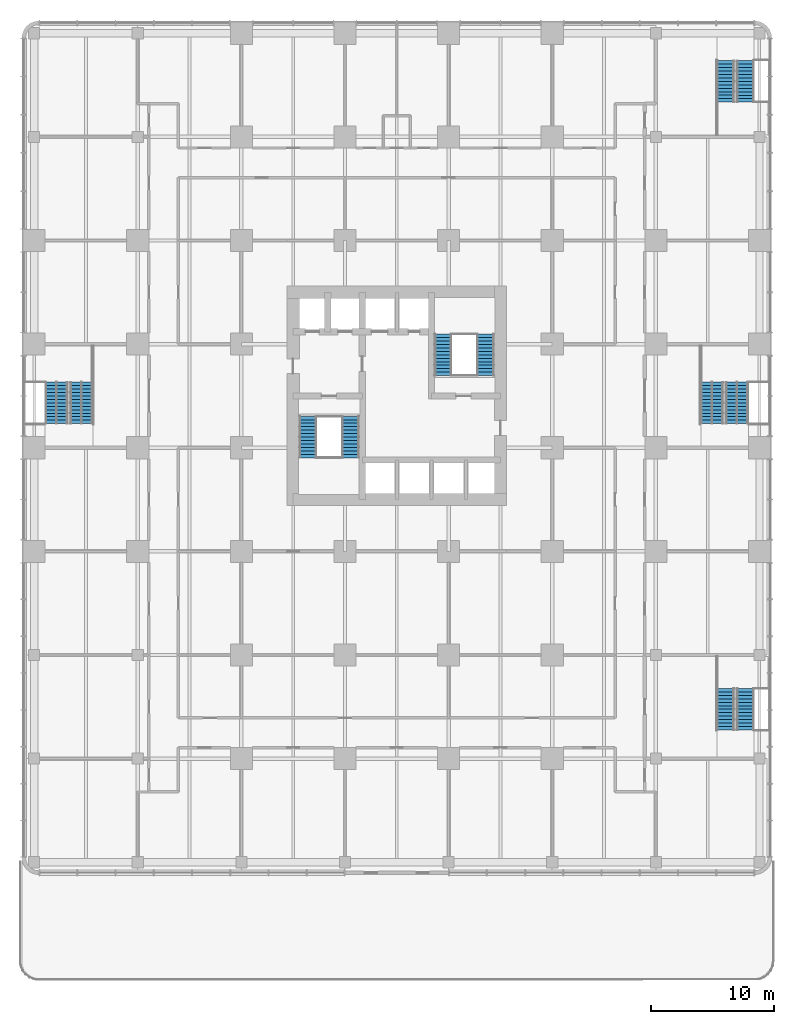
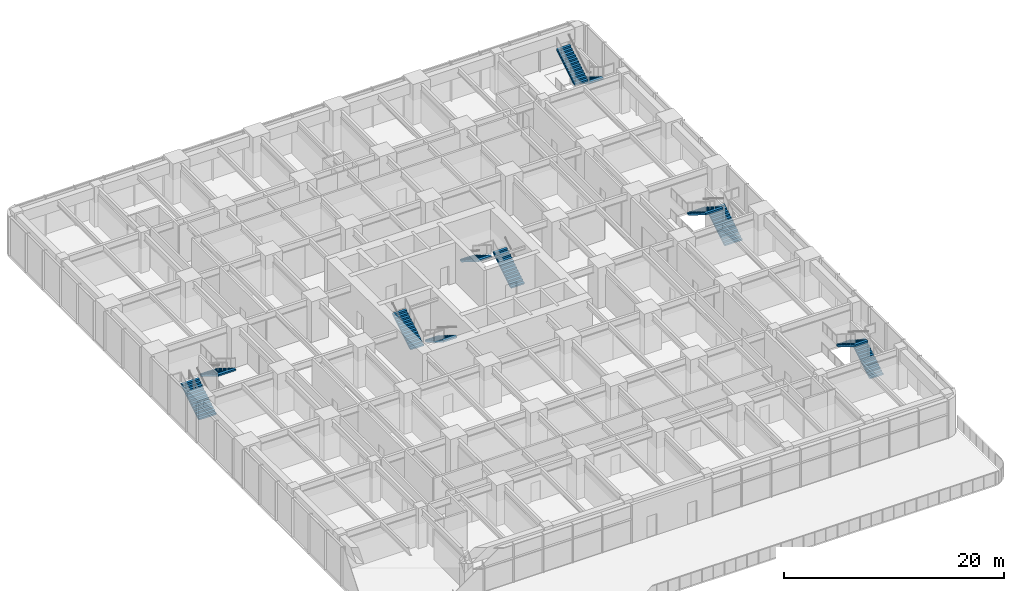
# One storey, part 15 of 20: 12 stair flights, 6 elements without a shape of their own.
"""IFC4 building model written with IfcOpenShell, lengths in metres."""

from ifc_helpers import new_model, si_unit, direction, frame, origin, place, context, subcontext, project, spatial, polyline, outline, extrude, material, type_object, element, aggregate, save


model = new_model("IFC4")

# Units and contexts
model_context = context("Model", 3, precision=1e-05, world=origin(), true_north=direction((0.0, 1.0)))
body_context = subcontext(model_context, "Body", "Model", "MODEL_VIEW")
ifc_project = project(units=[si_unit("LENGTHUNIT", "METRE"), si_unit("AREAUNIT", "SQUARE_METRE"), si_unit("VOLUMEUNIT", "CUBIC_METRE"), si_unit("PLANEANGLEUNIT", "RADIAN"), si_unit("MASSUNIT", "GRAM", prefix="KILO")], contexts=[model_context])

# Site, building, storey
site_placement = place(None, origin())
site = spatial("IfcSite", under=ifc_project, at=site_placement, CompositionType="ELEMENT")
building_placement = place(site_placement, origin())
building = spatial("IfcBuilding", under=site, at=building_placement, Name="Torre Alcanfor", CompositionType="ELEMENT")
storey_placement = place(building_placement, frame((0.0, 0.0, 10.5)))
storey = spatial("IfcBuildingStorey", under=building, at=storey_placement, Name="L02", CompositionType="ELEMENT", Elevation=10.5)

# Stair, stair flights
ifc_material_1 = material(Name="Concrete f'c 35 MPa", Category="concrete")
stair_type_1 = type_object("IfcStairType", Name="Exit stair S1 1400 wide", PredefinedType="HALF_TURN_STAIR", material=ifc_material_1)
stair_1_placement = place(storey_placement, origin())
stair_1 = element("IfcStair", 1, at=stair_1_placement, inside=storey, type_object=stair_type_1, Name="Stair S1 L02 to L03", PredefinedType="HALF_TURN_STAIR")
ifc_material_2 = material(Name="Concrete f'c 35 MPa", Category="concrete")
stair_flight_type_1 = type_object("IfcStairFlightType", Name="Stair flight 1400", PredefinedType="STRAIGHT", material=ifc_material_2)
stair_flight_1_placement = place(storey_placement, frame((25.64990234375, 27.75, 0.0), z_axis=(0.0, 0.0, 1.0), x_axis=(0.0, -1.0, 0.0)))
stair_flight_1 = element("IfcStairFlight", 2, at=stair_flight_1_placement, type_object=stair_flight_type_1, Name="S1 flight 1", NumberOfRisers=13, NumberOfTreads=12, PredefinedType="STRAIGHT", RiserHeight=0.173076923, TreadLength=0.28, context=body_context, shape_type="SweptSolid", body=[
    extrude(outline(polyline([(0.0, 0.0), (0.0, 0.173095703125), (0.280029296875, 0.173095703125), (0.280029296875, 0.34619140625), (0.56005859375, 0.34619140625), (0.56005859375, 0.519287109375), (0.840087890625, 0.519287109375), (0.840087890625, 0.6923828125), (1.1201171875, 0.6923828125), (1.1201171875, 0.865478515625), (1.39990234375, 0.865478515625), (1.39990234375, 1.03857421875), (1.679931640625, 1.03857421875), (1.679931640625, 1.21142578125), (1.9599609375, 1.21142578125), (1.9599609375, 1.384521484375), (2.239990234375, 1.384521484375), (2.239990234375, 1.5576171875), (2.52001953125, 1.5576171875), (2.52001953125, 1.730712890625), (2.800048828125, 1.730712890625), (2.800048828125, 1.90380859375), (3.080078125, 1.90380859375), (3.080078125, 2.076904296875), (3.360107421875, 2.076904296875), (3.360107421875, 2.25), (3.360107421875, 1.900634765625), (0.28515625, 0.0), (0.0, 0.0)])), frame((0.0, 0.699951171875, 0.0), z_axis=(0.0, -1.0, 0.0), x_axis=(1.0, 0.0, 0.0)), (0.0, 0.0, 1.0), 1.39990234375),
])
stair_flight_2_placement = place(storey_placement, frame((22.199951171875, 24.389892578125, 2.25), z_axis=(0.0, 0.0, 1.0), x_axis=(0.0, 1.0, 0.0)))
stair_flight_2 = element("IfcStairFlight", 3, at=stair_flight_2_placement, type_object=stair_flight_type_1, Name="S1 flight 2", NumberOfRisers=13, NumberOfTreads=12, PredefinedType="STRAIGHT", RiserHeight=0.173076923, TreadLength=0.28, context=body_context, shape_type="SweptSolid", body=[
    extrude(outline(polyline([(0.0, 0.0), (0.0, 0.173095703125), (0.280029296875, 0.173095703125), (0.280029296875, 0.34619140625), (0.56005859375, 0.34619140625), (0.56005859375, 0.519287109375), (0.840087890625, 0.519287109375), (0.840087890625, 0.6923828125), (1.1201171875, 0.6923828125), (1.1201171875, 0.865478515625), (1.39990234375, 0.865478515625), (1.39990234375, 1.03857421875), (1.679931640625, 1.03857421875), (1.679931640625, 1.21142578125), (1.9599609375, 1.21142578125), (1.9599609375, 1.384521484375), (2.239990234375, 1.384521484375), (2.239990234375, 1.5576171875), (2.52001953125, 1.5576171875), (2.52001953125, 1.730712890625), (2.800048828125, 1.730712890625), (2.800048828125, 1.90380859375), (3.080078125, 1.90380859375), (3.080078125, 2.076904296875), (3.360107421875, 2.076904296875), (3.360107421875, 2.25), (3.360107421875, 1.900634765625), (0.28515625, 0.0), (0.0, 0.0)])), frame((0.0, 0.699951171875, 0.0), z_axis=(0.0, -1.0, 0.0), x_axis=(1.0, 0.0, 0.0)), (0.0, 0.0, 1.0), 1.39990234375),
])
aggregate(stair_1, [stair_flight_1, stair_flight_2])

ifc_material_3 = material(Name="Concrete f'c 35 MPa", Category="concrete")
stair_type_2 = type_object("IfcStairType", Name="Exit stair S2 1400 wide", PredefinedType="HALF_TURN_STAIR", material=ifc_material_3)
stair_2_placement = place(storey_placement, origin())
stair_2 = element("IfcStair", 4, at=stair_2_placement, inside=storey, type_object=stair_type_2, Name="Stair S2 L02 to L03", PredefinedType="HALF_TURN_STAIR")
stair_flight_3_placement = place(storey_placement, frame((36.60009765625, 31.050048828125, 0.0), z_axis=(0.0, 0.0, 1.0), x_axis=(0.0, 1.0, 0.0)))
stair_flight_3 = element("IfcStairFlight", 5, at=stair_flight_3_placement, type_object=stair_flight_type_1, Name="S2 flight 1", NumberOfRisers=13, NumberOfTreads=12, PredefinedType="STRAIGHT", RiserHeight=0.173076923, TreadLength=0.28, context=body_context, shape_type="SweptSolid", body=[
    extrude(outline(polyline([(0.0, 0.0), (0.0, 0.173095703125), (0.280029296875, 0.173095703125), (0.280029296875, 0.34619140625), (0.56005859375, 0.34619140625), (0.56005859375, 0.519287109375), (0.840087890625, 0.519287109375), (0.840087890625, 0.6923828125), (1.1201171875, 0.6923828125), (1.1201171875, 0.865478515625), (1.39990234375, 0.865478515625), (1.39990234375, 1.03857421875), (1.679931640625, 1.03857421875), (1.679931640625, 1.21142578125), (1.9599609375, 1.21142578125), (1.9599609375, 1.384521484375), (2.239990234375, 1.384521484375), (2.239990234375, 1.5576171875), (2.52001953125, 1.5576171875), (2.52001953125, 1.730712890625), (2.800048828125, 1.730712890625), (2.800048828125, 1.90380859375), (3.080078125, 1.90380859375), (3.080078125, 2.076904296875), (3.360107421875, 2.076904296875), (3.360107421875, 2.25), (3.360107421875, 1.900634765625), (0.28515625, 0.0), (0.0, 0.0)])), frame((0.0, 0.699951171875, 0.0), z_axis=(0.0, -1.0, 0.0), x_axis=(1.0, 0.0, 0.0)), (0.0, 0.0, 1.0), 1.39990234375),
])
stair_flight_4_placement = place(storey_placement, frame((33.14990234375, 34.409912109375, 2.25), z_axis=(0.0, 0.0, 1.0), x_axis=(0.0, -1.0, 0.0)))
stair_flight_4 = element("IfcStairFlight", 6, at=stair_flight_4_placement, type_object=stair_flight_type_1, Name="S2 flight 2", NumberOfRisers=13, NumberOfTreads=12, PredefinedType="STRAIGHT", RiserHeight=0.173076923, TreadLength=0.28, context=body_context, shape_type="SweptSolid", body=[
    extrude(outline(polyline([(0.0, 0.0), (0.0, 0.173095703125), (0.280029296875, 0.173095703125), (0.280029296875, 0.34619140625), (0.56005859375, 0.34619140625), (0.56005859375, 0.519287109375), (0.840087890625, 0.519287109375), (0.840087890625, 0.6923828125), (1.1201171875, 0.6923828125), (1.1201171875, 0.865478515625), (1.39990234375, 0.865478515625), (1.39990234375, 1.03857421875), (1.679931640625, 1.03857421875), (1.679931640625, 1.21142578125), (1.9599609375, 1.21142578125), (1.9599609375, 1.384521484375), (2.239990234375, 1.384521484375), (2.239990234375, 1.5576171875), (2.52001953125, 1.5576171875), (2.52001953125, 1.730712890625), (2.800048828125, 1.730712890625), (2.800048828125, 1.90380859375), (3.080078125, 1.90380859375), (3.080078125, 2.076904296875), (3.360107421875, 2.076904296875), (3.360107421875, 2.25), (3.360107421875, 1.900634765625), (0.28515625, 0.0), (0.0, 0.0)])), frame((0.0, 0.699951171875, 0.0), z_axis=(0.0, -1.0, 0.0), x_axis=(1.0, 0.0, 0.0)), (0.0, 0.0, 1.0), 1.39990234375),
])
aggregate(stair_2, [stair_flight_3, stair_flight_4])

ifc_material_4 = material(Name="Concrete f'c 35 MPa", Category="concrete")
stair_type_3 = type_object("IfcStairType", Name="Exit stair SS3 1400 wide", PredefinedType="HALF_TURN_STAIR", material=ifc_material_4)
stair_3_placement = place(storey_placement, origin())
stair_3 = element("IfcStair", 7, at=stair_3_placement, inside=storey, type_object=stair_type_3, Name="Stair SS3 L02 to L03", PredefinedType="HALF_TURN_STAIR")
stair_flight_5_placement = place(storey_placement, frame((57.64990234375, 2.324951171875, 0.0), z_axis=(0.0, 0.0, 1.0), x_axis=(0.0, 1.0, 0.0)))
stair_flight_5 = element("IfcStairFlight", 8, at=stair_flight_5_placement, type_object=stair_flight_type_1, Name="SS3 flight 1", NumberOfRisers=13, NumberOfTreads=12, PredefinedType="STRAIGHT", RiserHeight=0.173076923, TreadLength=0.28, context=body_context, shape_type="SweptSolid", body=[
    extrude(outline(polyline([(0.0, 0.0), (0.0, 0.173095703125), (0.280029296875, 0.173095703125), (0.280029296875, 0.34619140625), (0.56005859375, 0.34619140625), (0.56005859375, 0.519287109375), (0.840087890625, 0.519287109375), (0.840087890625, 0.6923828125), (1.1201171875, 0.6923828125), (1.1201171875, 0.865478515625), (1.39990234375, 0.865478515625), (1.39990234375, 1.03857421875), (1.679931640625, 1.03857421875), (1.679931640625, 1.21142578125), (1.9599609375, 1.21142578125), (1.9599609375, 1.384521484375), (2.239990234375, 1.384521484375), (2.239990234375, 1.5576171875), (2.52001953125, 1.5576171875), (2.52001953125, 1.730712890625), (2.800048828125, 1.730712890625), (2.800048828125, 1.90380859375), (3.080078125, 1.90380859375), (3.080078125, 2.076904296875), (3.360107421875, 2.076904296875), (3.360107421875, 2.25), (3.360107421875, 1.900634765625), (0.28515625, 0.0), (0.0, 0.0)])), frame((0.0, 0.699951171875, 0.0), z_axis=(0.0, -1.0, 0.0), x_axis=(1.0, 0.0, 0.0)), (0.0, 0.0, 1.0), 1.39990234375),
])
stair_flight_6_placement = place(storey_placement, frame((56.050048828125, 5.68505859375, 2.25), z_axis=(0.0, 0.0, 1.0), x_axis=(0.0, -1.0, 0.0)))
stair_flight_6 = element("IfcStairFlight", 9, at=stair_flight_6_placement, type_object=stair_flight_type_1, Name="SS3 flight 2", NumberOfRisers=13, NumberOfTreads=12, PredefinedType="STRAIGHT", RiserHeight=0.173076923, TreadLength=0.28, context=body_context, shape_type="SweptSolid", body=[
    extrude(outline(polyline([(0.0, 0.0), (0.0, 0.173095703125), (0.280029296875, 0.173095703125), (0.280029296875, 0.34619140625), (0.56005859375, 0.34619140625), (0.56005859375, 0.519287109375), (0.840087890625, 0.519287109375), (0.840087890625, 0.6923828125), (1.1201171875, 0.6923828125), (1.1201171875, 0.865478515625), (1.39990234375, 0.865478515625), (1.39990234375, 1.03857421875), (1.679931640625, 1.03857421875), (1.679931640625, 1.21142578125), (1.9599609375, 1.21142578125), (1.9599609375, 1.384521484375), (2.239990234375, 1.384521484375), (2.239990234375, 1.5576171875), (2.52001953125, 1.5576171875), (2.52001953125, 1.730712890625), (2.800048828125, 1.730712890625), (2.800048828125, 1.90380859375), (3.080078125, 1.90380859375), (3.080078125, 2.076904296875), (3.360107421875, 2.076904296875), (3.360107421875, 2.25), (3.360107421875, 1.900634765625), (0.28515625, 0.0), (0.0, 0.0)])), frame((0.0, 0.699951171875, 0.0), z_axis=(0.0, -1.0, 0.0), x_axis=(1.0, 0.0, 0.0)), (0.0, 0.0, 1.0), 1.39990234375),
])
aggregate(stair_3, [stair_flight_5, stair_flight_6])

ifc_material_5 = material(Name="Concrete f'c 35 MPa", Category="concrete")
stair_type_4 = type_object("IfcStairType", Name="Exit stair SS4 1400 wide", PredefinedType="HALF_TURN_STAIR", material=ifc_material_5)
stair_4_placement = place(storey_placement, origin())
stair_4 = element("IfcStair", 10, at=stair_4_placement, inside=storey, type_object=stair_type_4, Name="Stair SS4 L02 to L03", PredefinedType="HALF_TURN_STAIR")
stair_flight_7_placement = place(storey_placement, frame((57.64990234375, 56.574951171875, 0.0), z_axis=(0.0, 0.0, 1.0), x_axis=(0.0, -1.0, 0.0)))
stair_flight_7 = element("IfcStairFlight", 11, at=stair_flight_7_placement, type_object=stair_flight_type_1, Name="SS4 flight 1", NumberOfRisers=13, NumberOfTreads=12, PredefinedType="STRAIGHT", RiserHeight=0.173076923, TreadLength=0.28, context=body_context, shape_type="SweptSolid", body=[
    extrude(outline(polyline([(0.0, 0.0), (0.0, 0.173095703125), (0.280029296875, 0.173095703125), (0.280029296875, 0.34619140625), (0.56005859375, 0.34619140625), (0.56005859375, 0.519287109375), (0.840087890625, 0.519287109375), (0.840087890625, 0.6923828125), (1.1201171875, 0.6923828125), (1.1201171875, 0.865478515625), (1.39990234375, 0.865478515625), (1.39990234375, 1.03857421875), (1.679931640625, 1.03857421875), (1.679931640625, 1.21142578125), (1.9599609375, 1.21142578125), (1.9599609375, 1.384521484375), (2.239990234375, 1.384521484375), (2.239990234375, 1.5576171875), (2.52001953125, 1.5576171875), (2.52001953125, 1.730712890625), (2.800048828125, 1.730712890625), (2.800048828125, 1.90380859375), (3.080078125, 1.90380859375), (3.080078125, 2.076904296875), (3.360107421875, 2.076904296875), (3.360107421875, 2.25), (3.360107421875, 1.900634765625), (0.28515625, 0.0), (0.0, 0.0)])), frame((0.0, 0.699951171875, 0.0), z_axis=(0.0, -1.0, 0.0), x_axis=(1.0, 0.0, 0.0)), (0.0, 0.0, 1.0), 1.39990234375),
])
stair_flight_8_placement = place(storey_placement, frame((56.050048828125, 53.215087890625, 2.25), z_axis=(0.0, 0.0, 1.0), x_axis=(0.0, 1.0, 0.0)))
stair_flight_8 = element("IfcStairFlight", 12, at=stair_flight_8_placement, type_object=stair_flight_type_1, Name="SS4 flight 2", NumberOfRisers=13, NumberOfTreads=12, PredefinedType="STRAIGHT", RiserHeight=0.173076923, TreadLength=0.28, context=body_context, shape_type="SweptSolid", body=[
    extrude(outline(polyline([(0.0, 0.0), (0.0, 0.173095703125), (0.280029296875, 0.173095703125), (0.280029296875, 0.34619140625), (0.56005859375, 0.34619140625), (0.56005859375, 0.519287109375), (0.840087890625, 0.519287109375), (0.840087890625, 0.6923828125), (1.1201171875, 0.6923828125), (1.1201171875, 0.865478515625), (1.39990234375, 0.865478515625), (1.39990234375, 1.03857421875), (1.679931640625, 1.03857421875), (1.679931640625, 1.21142578125), (1.9599609375, 1.21142578125), (1.9599609375, 1.384521484375), (2.239990234375, 1.384521484375), (2.239990234375, 1.5576171875), (2.52001953125, 1.5576171875), (2.52001953125, 1.730712890625), (2.800048828125, 1.730712890625), (2.800048828125, 1.90380859375), (3.080078125, 1.90380859375), (3.080078125, 2.076904296875), (3.360107421875, 2.076904296875), (3.360107421875, 2.25), (3.360107421875, 1.900634765625), (0.28515625, 0.0), (0.0, 0.0)])), frame((0.0, 0.699951171875, 0.0), z_axis=(0.0, -1.0, 0.0), x_axis=(1.0, 0.0, 0.0)), (0.0, 0.0, 1.0), 1.39990234375),
])
aggregate(stair_4, [stair_flight_7, stair_flight_8])

ifc_material_6 = material(Name="Concrete f'c 35 MPa", Category="concrete")
stair_type_5 = type_object("IfcStairType", Name="Exit stair SS1 1830 wide", PredefinedType="HALF_TURN_STAIR", material=ifc_material_6)
stair_5_placement = place(storey_placement, origin())
stair_5 = element("IfcStair", 13, at=stair_5_placement, inside=storey, type_object=stair_type_5, Name="Stair SS1 L02 to L03", PredefinedType="HALF_TURN_STAIR")
ifc_material_7 = material(Name="Concrete f'c 35 MPa", Category="concrete")
stair_flight_type_2 = type_object("IfcStairFlightType", Name="Stair flight 1830", PredefinedType="STRAIGHT", material=ifc_material_7)
stair_flight_9_placement = place(storey_placement, frame((1.81494140625, 27.155029296875, 0.0), z_axis=(0.0, 0.0, 1.0), x_axis=(0.0, 1.0, 0.0)))
stair_flight_9 = element("IfcStairFlight", 14, at=stair_flight_9_placement, type_object=stair_flight_type_2, Name="SS1 flight 1", NumberOfRisers=13, NumberOfTreads=12, PredefinedType="STRAIGHT", RiserHeight=0.173076923, TreadLength=0.28, context=body_context, shape_type="SweptSolid", body=[
    extrude(outline(polyline([(0.0, 0.0), (0.0, 0.173095703125), (0.280029296875, 0.173095703125), (0.280029296875, 0.34619140625), (0.56005859375, 0.34619140625), (0.56005859375, 0.519287109375), (0.840087890625, 0.519287109375), (0.840087890625, 0.6923828125), (1.1201171875, 0.6923828125), (1.1201171875, 0.865478515625), (1.39990234375, 0.865478515625), (1.39990234375, 1.03857421875), (1.679931640625, 1.03857421875), (1.679931640625, 1.21142578125), (1.9599609375, 1.21142578125), (1.9599609375, 1.384521484375), (2.239990234375, 1.384521484375), (2.239990234375, 1.5576171875), (2.52001953125, 1.5576171875), (2.52001953125, 1.730712890625), (2.800048828125, 1.730712890625), (2.800048828125, 1.90380859375), (3.080078125, 1.90380859375), (3.080078125, 2.076904296875), (3.360107421875, 2.076904296875), (3.360107421875, 2.25), (3.360107421875, 1.900634765625), (0.28515625, 0.0), (0.0, 0.0)])), frame((0.0, 0.9150390625, 0.0), z_axis=(0.0, -1.0, 0.0), x_axis=(1.0, 0.0, 0.0)), (0.0, 0.0, 1.0), 1.830078125),
])
stair_flight_10_placement = place(storey_placement, frame((3.844970703125, 30.514892578125, 2.25), z_axis=(0.0, 0.0, 1.0), x_axis=(0.0, -1.0, 0.0)))
stair_flight_10 = element("IfcStairFlight", 15, at=stair_flight_10_placement, type_object=stair_flight_type_2, Name="SS1 flight 2", NumberOfRisers=13, NumberOfTreads=12, PredefinedType="STRAIGHT", RiserHeight=0.173076923, TreadLength=0.28, context=body_context, shape_type="SweptSolid", body=[
    extrude(outline(polyline([(0.0, 0.0), (0.0, 0.173095703125), (0.280029296875, 0.173095703125), (0.280029296875, 0.34619140625), (0.56005859375, 0.34619140625), (0.56005859375, 0.519287109375), (0.840087890625, 0.519287109375), (0.840087890625, 0.6923828125), (1.1201171875, 0.6923828125), (1.1201171875, 0.865478515625), (1.39990234375, 0.865478515625), (1.39990234375, 1.03857421875), (1.679931640625, 1.03857421875), (1.679931640625, 1.21142578125), (1.9599609375, 1.21142578125), (1.9599609375, 1.384521484375), (2.239990234375, 1.384521484375), (2.239990234375, 1.5576171875), (2.52001953125, 1.5576171875), (2.52001953125, 1.730712890625), (2.800048828125, 1.730712890625), (2.800048828125, 1.90380859375), (3.080078125, 1.90380859375), (3.080078125, 2.076904296875), (3.360107421875, 2.076904296875), (3.360107421875, 2.25), (3.360107421875, 1.900634765625), (0.28515625, 0.0), (0.0, 0.0)])), frame((0.0, 0.9150390625, 0.0), z_axis=(0.0, -1.0, 0.0), x_axis=(1.0, 0.0, 0.0)), (0.0, 0.0, 1.0), 1.830078125),
])
aggregate(stair_5, [stair_flight_9, stair_flight_10])

ifc_material_8 = material(Name="Concrete f'c 35 MPa", Category="concrete")
stair_type_6 = type_object("IfcStairType", Name="Exit stair SS2 1830 wide", PredefinedType="HALF_TURN_STAIR", material=ifc_material_8)
stair_6_placement = place(storey_placement, origin())
stair_6 = element("IfcStair", 16, at=stair_6_placement, inside=storey, type_object=stair_type_6, Name="Stair SS2 L02 to L03", PredefinedType="HALF_TURN_STAIR")
stair_flight_11_placement = place(storey_placement, frame((56.985107421875, 27.155029296875, 0.0), z_axis=(0.0, 0.0, 1.0), x_axis=(0.0, 1.0, 0.0)))
stair_flight_11 = element("IfcStairFlight", 17, at=stair_flight_11_placement, type_object=stair_flight_type_2, Name="SS2 flight 1", NumberOfRisers=13, NumberOfTreads=12, PredefinedType="STRAIGHT", RiserHeight=0.173076923, TreadLength=0.28, context=body_context, shape_type="SweptSolid", body=[
    extrude(outline(polyline([(0.0, 0.0), (0.0, 0.173095703125), (0.280029296875, 0.173095703125), (0.280029296875, 0.34619140625), (0.56005859375, 0.34619140625), (0.56005859375, 0.519287109375), (0.840087890625, 0.519287109375), (0.840087890625, 0.6923828125), (1.1201171875, 0.6923828125), (1.1201171875, 0.865478515625), (1.39990234375, 0.865478515625), (1.39990234375, 1.03857421875), (1.679931640625, 1.03857421875), (1.679931640625, 1.21142578125), (1.9599609375, 1.21142578125), (1.9599609375, 1.384521484375), (2.239990234375, 1.384521484375), (2.239990234375, 1.5576171875), (2.52001953125, 1.5576171875), (2.52001953125, 1.730712890625), (2.800048828125, 1.730712890625), (2.800048828125, 1.90380859375), (3.080078125, 1.90380859375), (3.080078125, 2.076904296875), (3.360107421875, 2.076904296875), (3.360107421875, 2.25), (3.360107421875, 1.900634765625), (0.28515625, 0.0), (0.0, 0.0)])), frame((0.0, 0.9150390625, 0.0), z_axis=(0.0, -1.0, 0.0), x_axis=(1.0, 0.0, 0.0)), (0.0, 0.0, 1.0), 1.830078125),
])
stair_flight_12_placement = place(storey_placement, frame((54.955078125, 30.514892578125, 2.25), z_axis=(0.0, 0.0, 1.0), x_axis=(0.0, -1.0, 0.0)))
stair_flight_12 = element("IfcStairFlight", 18, at=stair_flight_12_placement, type_object=stair_flight_type_2, Name="SS2 flight 2", NumberOfRisers=13, NumberOfTreads=12, PredefinedType="STRAIGHT", RiserHeight=0.173076923, TreadLength=0.28, context=body_context, shape_type="SweptSolid", body=[
    extrude(outline(polyline([(0.0, 0.0), (0.0, 0.173095703125), (0.280029296875, 0.173095703125), (0.280029296875, 0.34619140625), (0.56005859375, 0.34619140625), (0.56005859375, 0.519287109375), (0.840087890625, 0.519287109375), (0.840087890625, 0.6923828125), (1.1201171875, 0.6923828125), (1.1201171875, 0.865478515625), (1.39990234375, 0.865478515625), (1.39990234375, 1.03857421875), (1.679931640625, 1.03857421875), (1.679931640625, 1.21142578125), (1.9599609375, 1.21142578125), (1.9599609375, 1.384521484375), (2.239990234375, 1.384521484375), (2.239990234375, 1.5576171875), (2.52001953125, 1.5576171875), (2.52001953125, 1.730712890625), (2.800048828125, 1.730712890625), (2.800048828125, 1.90380859375), (3.080078125, 1.90380859375), (3.080078125, 2.076904296875), (3.360107421875, 2.076904296875), (3.360107421875, 2.25), (3.360107421875, 1.900634765625), (0.28515625, 0.0), (0.0, 0.0)])), frame((0.0, 0.9150390625, 0.0), z_axis=(0.0, -1.0, 0.0), x_axis=(1.0, 0.0, 0.0)), (0.0, 0.0, 1.0), 1.830078125),
])
aggregate(stair_6, [stair_flight_11, stair_flight_12])

save(model, "model.ifc")
